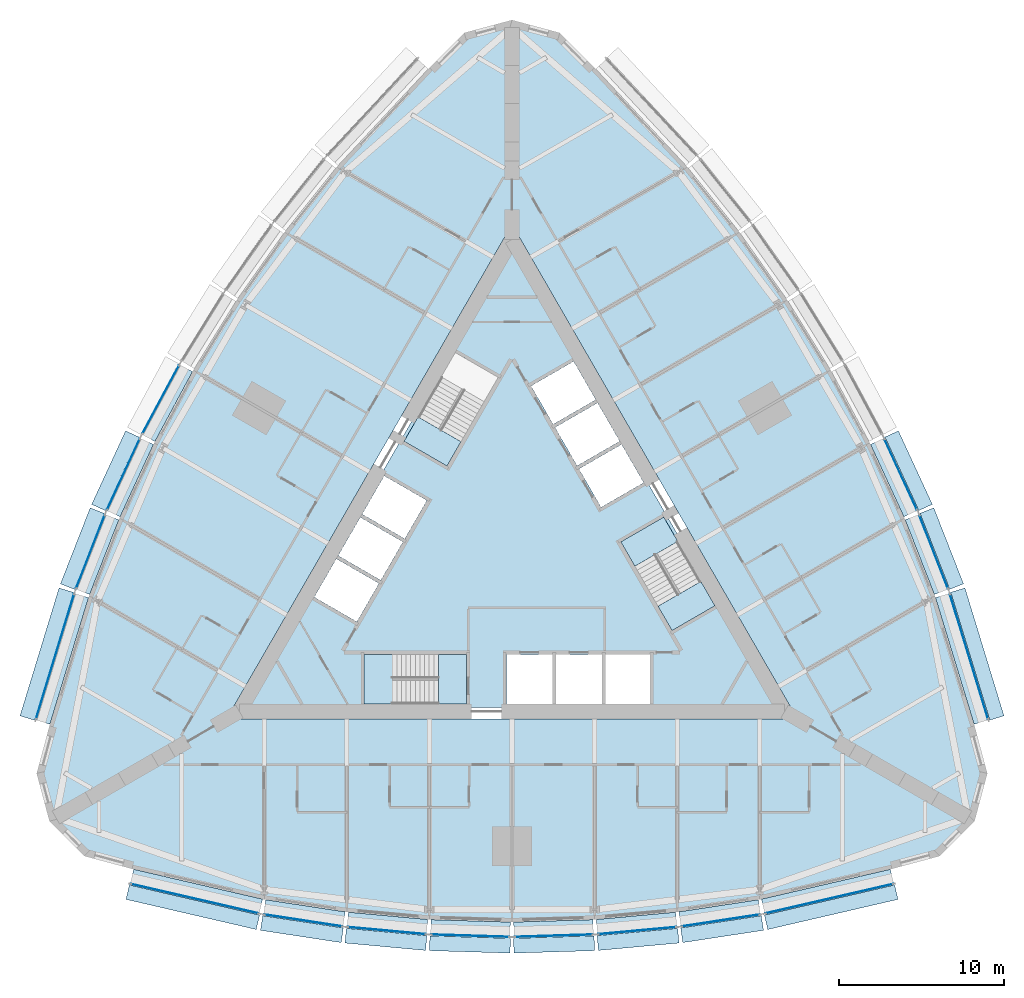
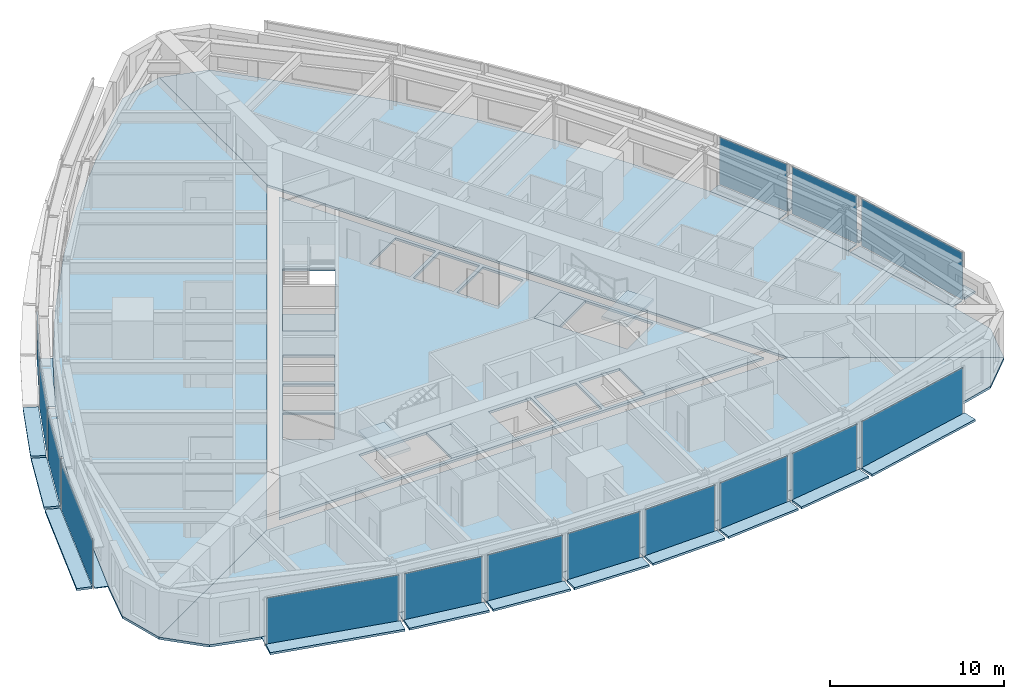
# One storey, part 6 of 14: 44 plates, 9 slabs, 18 elements without a shape of their own.
"""IFC4 building model written with IfcOpenShell, lengths in metres."""

from ifc_helpers import new_model, si_unit, direction, frame, origin, origin_2d, place, context, subcontext, project, spatial, polyline, rectangle, outline, extrude, material, layer, layer_set, type_object, element, aggregate, save


model = new_model("IFC4")

# Units and contexts
model_context = context("Model", 3, precision=1e-05, world=origin(), true_north=direction((0.0, 1.0)))
body_context = subcontext(model_context, "Body", "Model", "MODEL_VIEW")
ifc_project = project(units=[si_unit("LENGTHUNIT", "METRE"), si_unit("AREAUNIT", "SQUARE_METRE"), si_unit("VOLUMEUNIT", "CUBIC_METRE"), si_unit("PLANEANGLEUNIT", "RADIAN"), si_unit("MASSUNIT", "GRAM", prefix="KILO")], contexts=[model_context])

# Site, building, storey
site_placement = place(None, origin())
site = spatial("IfcSite", under=ifc_project, at=site_placement, CompositionType="ELEMENT")
building_placement = place(site_placement, origin())
building = spatial("IfcBuilding", under=site, at=building_placement, Name="Trikona Tower", CompositionType="ELEMENT")
storey_placement = place(building_placement, frame((0.0, 0.0, 35.300048828125)))
storey = spatial("IfcBuildingStorey", under=building, at=storey_placement, Name="L07", CompositionType="ELEMENT", Elevation=35.300048828125)

# Plates
ifc_material_1 = material(Name="Aluminium bar grating", Category="aluminium")
ifc_layer_1 = layer(ifc_material_1, 0.050048828125)
ifc_layer_set_1 = layer_set([ifc_layer_1], Name="Cavity catwalk grating")
plate_type_1 = type_object("IfcPlateType", Name="Cavity catwalk grating", PredefinedType="USERDEFINED", material=ifc_layer_set_1)
plate_1_placement = place(storey_placement, frame((-19.09228515625, -20.377197265625, -0.05029296875), z_axis=(0.0, 0.0, 1.0), x_axis=(0.974277718622, -0.225350675607, 0.0)))
element("IfcPlate", 1, at=plate_1_placement, inside=storey, type_object=plate_type_1, Name="Cavity catwalk L07-00", ObjectType="CATWALK GRATING", PredefinedType="USERDEFINED", context=body_context, shape_type="SweptSolid", body=[
    extrude(rectangle(XDim=8.01123046875, YDim=0.820068359375, at=origin_2d()), origin(), (0.0, 0.0, 1.0), 0.050048828125),
])
plate_2_placement = place(storey_placement, frame((-12.561767578125, -21.688720703125, -0.05029296875), z_axis=(0.0, 0.0, 1.0), x_axis=(0.988617896768, -0.150448177754, 0.0)))
element("IfcPlate", 2, at=plate_2_placement, inside=storey, type_object=plate_type_1, Name="Cavity catwalk L07-01", ObjectType="CATWALK GRATING", PredefinedType="USERDEFINED", context=body_context, shape_type="SweptSolid", body=[
    extrude(rectangle(XDim=4.857666015625, YDim=0.820068359375, at=origin_2d()), origin(), (0.0, 0.0, 1.0), 0.050048828125),
])
plate_3_placement = place(storey_placement, frame((-7.537353515625, -22.300537109375, -0.05029296875), z_axis=(0.0, 0.0, 1.0), x_axis=(0.995858098326, -0.090921108655, 0.0)))
element("IfcPlate", 3, at=plate_3_placement, inside=storey, type_object=plate_type_1, Name="Cavity catwalk L07-02", ObjectType="CATWALK GRATING", PredefinedType="USERDEFINED", context=body_context, shape_type="SweptSolid", body=[
    extrude(rectangle(XDim=4.82080078125, YDim=0.820068359375, at=origin_2d()), origin(), (0.0, 0.0, 1.0), 0.050048828125),
])
for number, where, z_axis, x_axis, name in (
    (4, (-2.512451171875, -22.606201171875, -0.05029296875), (0.0, 0.0, 1.0), (0.999537048889, -0.030425119525, 0.0), "Cavity catwalk L07-03"),
    (5, (2.512451171875, -22.606201171875, -0.05029296875), (0.0, 0.0, 1.0), (0.999537048889, 0.030425119525, 0.0), "Cavity catwalk L07-04"),
):
    element("IfcPlate", number, at=place(storey_placement, frame(where, z_axis=z_axis, x_axis=x_axis)), inside=storey, type_object=plate_type_1, Name=name, ObjectType="CATWALK GRATING", PredefinedType="USERDEFINED", context=body_context, shape_type="SweptSolid", body=[
        extrude(rectangle(XDim=4.80224609375, YDim=0.820068359375, at=origin_2d()), origin(), (0.0, 0.0, 1.0), 0.050048828125),
    ])
plate_4_placement = place(storey_placement, frame((7.537353515625, -22.300537109375, -0.05029296875), z_axis=(0.0, 0.0, 1.0), x_axis=(0.995858098326, 0.090921108655, 0.0)))
element("IfcPlate", 6, at=plate_4_placement, inside=storey, type_object=plate_type_1, Name="Cavity catwalk L07-05", ObjectType="CATWALK GRATING", PredefinedType="USERDEFINED", context=body_context, shape_type="SweptSolid", body=[
    extrude(rectangle(XDim=4.82080078125, YDim=0.820068359375, at=origin_2d()), origin(), (0.0, 0.0, 1.0), 0.050048828125),
])
plate_5_placement = place(storey_placement, frame((12.561767578125, -21.688720703125, -0.05029296875), z_axis=(0.0, 0.0, 1.0), x_axis=(0.988617896768, 0.150448177754, 0.0)))
element("IfcPlate", 7, at=plate_5_placement, inside=storey, type_object=plate_type_1, Name="Cavity catwalk L07-06", ObjectType="CATWALK GRATING", PredefinedType="USERDEFINED", context=body_context, shape_type="SweptSolid", body=[
    extrude(rectangle(XDim=4.857666015625, YDim=0.820068359375, at=origin_2d()), origin(), (0.0, 0.0, 1.0), 0.050048828125),
])
for number, where, z_axis, x_axis, name in (
    (8, (19.09228515625, -20.377197265625, -0.05029296875), (0.0, 0.0, 1.0), (0.974277718622, 0.225350675607, 0.0), "Cavity catwalk L07-07"),
    (9, (27.193359375, -6.345947265625, -0.05029296875), (0.0, 0.0, 1.0), (-0.291979449475, 0.956424592471, 0.0), "Cavity catwalk L07-12"),
):
    element("IfcPlate", number, at=place(storey_placement, frame(where, z_axis=z_axis, x_axis=x_axis)), inside=storey, type_object=plate_type_1, Name=name, ObjectType="CATWALK GRATING", PredefinedType="USERDEFINED", context=body_context, shape_type="SweptSolid", body=[
        extrude(rectangle(XDim=8.01123046875, YDim=0.820068359375, at=origin_2d()), origin(), (0.0, 0.0, 1.0), 0.050048828125),
    ])
plate_6_placement = place(storey_placement, frame((25.06396484375, -0.034423828125, -0.05029296875), z_axis=(0.0, 0.0, 1.0), x_axis=(-0.364008876551, 0.931395478726, 0.0)))
element("IfcPlate", 10, at=plate_6_placement, inside=storey, type_object=plate_type_1, Name="Cavity catwalk L07-13", ObjectType="CATWALK GRATING", PredefinedType="USERDEFINED", context=body_context, shape_type="SweptSolid", body=[
    extrude(rectangle(XDim=4.857666015625, YDim=0.820068359375, at=origin_2d()), origin(), (0.0, 0.0, 1.0), 0.050048828125),
])
plate_7_placement = place(storey_placement, frame((23.081298828125, 4.622802734375, -0.05029296875), z_axis=(0.0, 0.0, 1.0), x_axis=(-0.41919381307, 0.907896771161, 0.0)))
element("IfcPlate", 11, at=plate_7_placement, inside=storey, type_object=plate_type_1, Name="Cavity catwalk L07-14", ObjectType="CATWALK GRATING", PredefinedType="USERDEFINED", context=body_context, shape_type="SweptSolid", body=[
    extrude(rectangle(XDim=4.82080078125, YDim=0.820068359375, at=origin_2d()), origin(), (0.0, 0.0, 1.0), 0.050048828125),
])
plate_8_placement = place(storey_placement, frame((-20.833740234375, 9.127197265625, -0.05029296875), z_axis=(0.0, 0.0, 1.0), x_axis=(-0.473422672721, -0.880835383572, 0.0)))
element("IfcPlate", 12, at=plate_8_placement, inside=storey, type_object=plate_type_1, Name="Cavity catwalk L07-28", ObjectType="CATWALK GRATING", PredefinedType="USERDEFINED", context=body_context, shape_type="SweptSolid", body=[
    extrude(rectangle(XDim=4.80224609375, YDim=0.820068359375, at=origin_2d()), origin(), (0.0, 0.0, 1.0), 0.050048828125),
])
plate_9_placement = place(storey_placement, frame((-23.081298828125, 4.622802734375, -0.05029296875), z_axis=(0.0, 0.0, 1.0), x_axis=(-0.41919381307, -0.907896771161, 0.0)))
element("IfcPlate", 13, at=plate_9_placement, inside=storey, type_object=plate_type_1, Name="Cavity catwalk L07-29", ObjectType="CATWALK GRATING", PredefinedType="USERDEFINED", context=body_context, shape_type="SweptSolid", body=[
    extrude(rectangle(XDim=4.82080078125, YDim=0.820068359375, at=origin_2d()), origin(), (0.0, 0.0, 1.0), 0.050048828125),
])
plate_10_placement = place(storey_placement, frame((-25.06396484375, -0.034423828125, -0.05029296875), z_axis=(0.0, 0.0, 1.0), x_axis=(-0.364008876551, -0.931395478726, 0.0)))
element("IfcPlate", 14, at=plate_10_placement, inside=storey, type_object=plate_type_1, Name="Cavity catwalk L07-30", ObjectType="CATWALK GRATING", PredefinedType="USERDEFINED", context=body_context, shape_type="SweptSolid", body=[
    extrude(rectangle(XDim=4.857666015625, YDim=0.820068359375, at=origin_2d()), origin(), (0.0, 0.0, 1.0), 0.050048828125),
])
plate_11_placement = place(storey_placement, frame((-27.193359375, -6.345947265625, -0.05029296875), z_axis=(0.0, 0.0, 1.0), x_axis=(-0.291979449475, -0.956424592471, 0.0)))
element("IfcPlate", 15, at=plate_11_placement, inside=storey, type_object=plate_type_1, Name="Cavity catwalk L07-31", ObjectType="CATWALK GRATING", PredefinedType="USERDEFINED", context=body_context, shape_type="SweptSolid", body=[
    extrude(rectangle(XDim=8.01123046875, YDim=0.820068359375, at=origin_2d()), origin(), (0.0, 0.0, 1.0), 0.050048828125),
])

# Slabs
ifc_material_2 = material(Name="Concrete f'c 5000 psi lightweight on composite steel deck", Category="concrete")
ifc_layer_2 = layer(ifc_material_2, 0.1650390625)
ifc_layer_set_2 = layer_set([ifc_layer_2], Name="Composite floor slab 165")
slab_type_1 = type_object("IfcSlabType", Name="Composite floor slab 165", PredefinedType="FLOOR", material=ifc_layer_set_2)
slab_1_placement = place(storey_placement, frame((0.0, 0.0, -0.1650390625)))
element("IfcSlab", 16, at=slab_1_placement, inside=storey, type_object=slab_type_1, Name="Floor slab L07 core", PredefinedType="FLOOR", context=body_context, shape_type="SweptSolid", body=[
    extrude(outline(polyline([(-16.06689453125, -9.2763671875), (16.06689453125, -9.2763671875), (0.0, 18.552490234375), (-16.06689453125, -9.2763671875)]), holes=[polyline([(12.285400390625, -3.126220703125), (9.185302734375, 2.2431640625), (6.587158203125, 0.7431640625), (9.687255859375, -4.626220703125), (12.285400390625, -3.126220703125)]), polyline([(8.340087890625, -9.06640625), (8.340087890625, -6.086181640625), (5.659912109375, -6.086181640625), (5.659912109375, -9.06640625), (8.340087890625, -9.06640625)]), polyline([(5.390869140625, 2.835205078125), (7.9716796875, 4.3251953125), (6.631591796875, 6.646240234375), (4.05078125, 5.15625), (5.390869140625, 2.835205078125)]), polyline([(2.600830078125, 7.667724609375), (3.94091796875, 5.3466796875), (6.521484375, 6.8369140625), (5.181640625, 9.15771484375), (2.600830078125, 7.667724609375)]), polyline([(5.43994140625, -6.086181640625), (2.659912109375, -6.086181640625), (2.659912109375, -9.06640625), (5.43994140625, -9.06640625), (5.43994140625, -6.086181640625)]), polyline([(3.731689453125, 11.669189453125), (1.15087890625, 10.17919921875), (2.490966796875, 7.858154296875), (5.071533203125, 9.34814453125), (3.731689453125, 11.669189453125)]), polyline([(-0.340087890625, -6.086181640625), (-0.340087890625, -9.06640625), (2.43994140625, -9.06640625), (2.43994140625, -6.086181640625), (-0.340087890625, -6.086181640625)]), polyline([(-3.435302734375, 12.202392578125), (-6.535400390625, 6.8330078125), (-3.937255859375, 5.3330078125), (-0.837158203125, 10.702392578125), (-3.435302734375, 12.202392578125)]), polyline([(-8.949951171875, -9.076416015625), (-2.75, -9.076416015625), (-2.75, -6.076416015625), (-8.949951171875, -6.076416015625), (-8.949951171875, -9.076416015625)]), polyline([(-5.15087890625, 3.2509765625), (-7.731689453125, 4.740966796875), (-9.071533203125, 2.419921875), (-6.490966796875, 0.929931640625), (-5.15087890625, 3.2509765625)]), polyline([(-7.94091796875, -1.581298828125), (-6.600830078125, 0.739501953125), (-9.181640625, 2.2294921875), (-10.521484375, -0.09130859375), (-7.94091796875, -1.581298828125)]), polyline([(-11.9716796875, -2.602783203125), (-9.390869140625, -4.093017578125), (-8.05078125, -1.77197265625), (-10.631591796875, -0.281982421875), (-11.9716796875, -2.602783203125)])]), origin(), (0.0, 0.0, 1.0), 0.1650390625),
])
slab_2_placement = place(storey_placement, frame((0.0, 0.0, -0.1650390625)))
element("IfcSlab", 17, at=slab_2_placement, inside=storey, type_object=slab_type_1, Name="Floor slab L07 south", PredefinedType="FLOOR", context=body_context, shape_type="SweptSolid", body=[
    extrude(outline(polyline([(25.88671875, -18.279052734375), (28.0, -16.165771484375), (17.279296875, -9.976318359375), (-17.279296875, -9.976318359375), (-28.0, -16.165771484375), (-25.88671875, -18.279052734375), (-23.0, -19.052490234375), (-15.0, -20.903076171875), (-10.0, -21.663818359375), (-5.0, -22.120361328125), (0.0, -22.272705078125), (5.0, -22.120361328125), (10.0, -21.663818359375), (15.0, -20.903076171875), (23.0, -19.052490234375), (25.88671875, -18.279052734375)])), origin(), (0.0, 0.0, 1.0), 0.1650390625),
])
slab_3_placement = place(storey_placement, frame((0.0, 0.0, -0.1650390625)))
element("IfcSlab", 18, at=slab_3_placement, inside=storey, type_object=slab_type_1, Name="Floor slab L07 north-east", PredefinedType="FLOOR", context=body_context, shape_type="SweptSolid", body=[
    extrude(outline(polyline([(2.88671875, 31.55810546875), (0.0, 32.33154296875), (0.0, 19.95263671875), (17.279296875, -9.976318359375), (28.0, -16.165771484375), (28.7734375, -13.279052734375), (28.0, -10.392333984375), (25.6025390625, -2.538818359375), (23.761474609375, 2.171630859375), (21.65673828125, 6.72998046875), (19.28857421875, 11.13623046875), (16.65673828125, 15.390380859375), (13.761474609375, 19.4921875), (10.6025390625, 23.44189453125), (5.0, 29.44482421875), (2.88671875, 31.55810546875)])), origin(), (0.0, 0.0, 1.0), 0.1650390625),
])
slab_4_placement = place(storey_placement, frame((0.0, 0.0, -0.1650390625)))
element("IfcSlab", 19, at=slab_4_placement, inside=storey, type_object=slab_type_1, Name="Floor slab L07 north-west", PredefinedType="FLOOR", context=body_context, shape_type="SweptSolid", body=[
    extrude(outline(polyline([(0.0, 19.95263671875), (0.0, 32.33154296875), (-2.88671875, 31.55810546875), (-5.0, 29.44482421875), (-10.6025390625, 23.44189453125), (-13.761474609375, 19.4921875), (-16.65673828125, 15.390380859375), (-19.28857421875, 11.13623046875), (-21.65673828125, 6.72998046875), (-23.761474609375, 2.171630859375), (-25.6025390625, -2.538818359375), (-28.0, -10.392333984375), (-28.7734375, -13.279052734375), (-28.0, -16.165771484375), (-17.279296875, -9.976318359375), (0.0, 19.95263671875)])), origin(), (0.0, 0.0, 1.0), 0.1650390625),
])

# Curtain wall, plate
ifc_material_3 = material(Name="Aluminium curtain wall system", Category="aluminium")
curtain_wall_type = type_object("IfcCurtainWallType", Name="Curtain wall DS1", PredefinedType="NOTDEFINED", material=ifc_material_3)
curtain_wall_1_placement = place(storey_placement, origin())
curtain_wall_1 = element("IfcCurtainWall", 20, at=curtain_wall_1_placement, inside=storey, type_object=curtain_wall_type, Name="Curtain wall DS1 L07", PredefinedType="NOTDEFINED")
ifc_material_4 = material(Name="Laminated clear glass", Category="glass")
ifc_layer_3 = layer(ifc_material_4, 0.028076171875)
ifc_layer_set_3 = layer_set([ifc_layer_3], Name="Glass panel DS1")
plate_type_2 = type_object("IfcPlateType", Name="Glass panel DS1", PredefinedType="CURTAIN_PANEL", material=ifc_layer_set_3)
plate_12_placement = place(storey_placement, frame((-19.202880859375, -20.854736328125, 0.0), z_axis=(0.0, 0.0, 1.0), x_axis=(0.974279427173, -0.225343288756, 0.0)))
plate_12 = element("IfcPlate", 21, at=plate_12_placement, type_object=plate_type_2, Name="CW-DS1 panel 1.1", PredefinedType="CURTAIN_PANEL", context=body_context, shape_type="SweptSolid", body=[
    extrude(rectangle(XDim=7.93115234375, YDim=0.028076171875, at=origin_2d()), origin(), (0.0, 0.0, 1.0), 3.320068359375),
])
aggregate(curtain_wall_1, [plate_12])

curtain_wall_2_placement = place(storey_placement, origin())
curtain_wall_2 = element("IfcCurtainWall", 22, at=curtain_wall_2_placement, inside=storey, type_object=curtain_wall_type, Name="Curtain wall DS1 L07", PredefinedType="NOTDEFINED")
plate_13_placement = place(storey_placement, frame((-12.635498046875, -22.173095703125, 0.0), z_axis=(0.0, 0.0, 1.0), x_axis=(0.988619492156, -0.150437693845, 0.0)))
plate_13 = element("IfcPlate", 23, at=plate_13_placement, type_object=plate_type_2, Name="CW-DS1 panel 1.1", PredefinedType="CURTAIN_PANEL", context=body_context, shape_type="SweptSolid", body=[
    extrude(rectangle(XDim=4.777587890625, YDim=0.028076171875, at=origin_2d()), origin(), (0.0, 0.0, 1.0), 3.320068359375),
])
aggregate(curtain_wall_2, [plate_13])

curtain_wall_3_placement = place(storey_placement, origin())
curtain_wall_3 = element("IfcCurtainWall", 24, at=curtain_wall_3_placement, inside=storey, type_object=curtain_wall_type, Name="Curtain wall DS1 L07", PredefinedType="NOTDEFINED")
plate_14_placement = place(storey_placement, frame((-7.581787109375, -22.788330078125, 0.0), z_axis=(0.0, 0.0, 1.0), x_axis=(0.995857840485, -0.090923932737, 0.0)))
plate_14 = element("IfcPlate", 25, at=plate_14_placement, type_object=plate_type_2, Name="CW-DS1 panel 1.1", PredefinedType="CURTAIN_PANEL", context=body_context, shape_type="SweptSolid", body=[
    extrude(rectangle(XDim=4.74072265625, YDim=0.028076171875, at=origin_2d()), origin(), (0.0, 0.0, 1.0), 3.320068359375),
])
aggregate(curtain_wall_3, [plate_14])

curtain_wall_4_placement = place(storey_placement, origin())
curtain_wall_4 = element("IfcCurtainWall", 26, at=curtain_wall_4_placement, inside=storey, type_object=curtain_wall_type, Name="Curtain wall DS1 L07", PredefinedType="NOTDEFINED")
plate_15_placement = place(storey_placement, frame((-2.52734375, -23.09619140625, 0.0), z_axis=(0.0, 0.0, 1.0), x_axis=(0.999536695965, -0.030436711692, 0.0)))
plate_15 = element("IfcPlate", 27, at=plate_15_placement, type_object=plate_type_2, Name="CW-DS1 panel 1.1", PredefinedType="CURTAIN_PANEL", context=body_context, shape_type="SweptSolid", body=[
    extrude(rectangle(XDim=4.72216796875, YDim=0.028076171875, at=origin_2d()), origin(), (0.0, 0.0, 1.0), 3.320068359375),
])
aggregate(curtain_wall_4, [plate_15])

curtain_wall_5_placement = place(storey_placement, origin())
curtain_wall_5 = element("IfcCurtainWall", 28, at=curtain_wall_5_placement, inside=storey, type_object=curtain_wall_type, Name="Curtain wall DS1 L07", PredefinedType="NOTDEFINED")
plate_16_placement = place(storey_placement, frame((2.52734375, -23.09619140625, 0.0), z_axis=(0.0, 0.0, 1.0), x_axis=(0.999536695965, 0.030436711692, 0.0)))
plate_16 = element("IfcPlate", 29, at=plate_16_placement, type_object=plate_type_2, Name="CW-DS1 panel 1.1", PredefinedType="CURTAIN_PANEL", context=body_context, shape_type="SweptSolid", body=[
    extrude(rectangle(XDim=4.72216796875, YDim=0.028076171875, at=origin_2d()), origin(), (0.0, 0.0, 1.0), 3.320068359375),
])
aggregate(curtain_wall_5, [plate_16])

curtain_wall_6_placement = place(storey_placement, origin())
curtain_wall_6 = element("IfcCurtainWall", 30, at=curtain_wall_6_placement, inside=storey, type_object=curtain_wall_type, Name="Curtain wall DS1 L07", PredefinedType="NOTDEFINED")
plate_17_placement = place(storey_placement, frame((7.581787109375, -22.788330078125, 0.0), z_axis=(0.0, 0.0, 1.0), x_axis=(0.995857840485, 0.090923932737, 0.0)))
plate_17 = element("IfcPlate", 31, at=plate_17_placement, type_object=plate_type_2, Name="CW-DS1 panel 1.1", PredefinedType="CURTAIN_PANEL", context=body_context, shape_type="SweptSolid", body=[
    extrude(rectangle(XDim=4.74072265625, YDim=0.028076171875, at=origin_2d()), origin(), (0.0, 0.0, 1.0), 3.320068359375),
])
aggregate(curtain_wall_6, [plate_17])

curtain_wall_7_placement = place(storey_placement, origin())
curtain_wall_7 = element("IfcCurtainWall", 32, at=curtain_wall_7_placement, inside=storey, type_object=curtain_wall_type, Name="Curtain wall DS1 L07", PredefinedType="NOTDEFINED")
plate_18_placement = place(storey_placement, frame((12.635498046875, -22.173095703125, 0.0), z_axis=(0.0, 0.0, 1.0), x_axis=(0.988619492156, 0.150437693845, 0.0)))
plate_18 = element("IfcPlate", 33, at=plate_18_placement, type_object=plate_type_2, Name="CW-DS1 panel 1.1", PredefinedType="CURTAIN_PANEL", context=body_context, shape_type="SweptSolid", body=[
    extrude(rectangle(XDim=4.777587890625, YDim=0.028076171875, at=origin_2d()), origin(), (0.0, 0.0, 1.0), 3.320068359375),
])
aggregate(curtain_wall_7, [plate_18])

curtain_wall_8_placement = place(storey_placement, origin())
curtain_wall_8 = element("IfcCurtainWall", 34, at=curtain_wall_8_placement, inside=storey, type_object=curtain_wall_type, Name="Curtain wall DS1 L07", PredefinedType="NOTDEFINED")
plate_19_placement = place(storey_placement, frame((19.202880859375, -20.854736328125, 0.0), z_axis=(0.0, 0.0, 1.0), x_axis=(0.974279427173, 0.225343288756, 0.0)))
plate_19 = element("IfcPlate", 35, at=plate_19_placement, type_object=plate_type_2, Name="CW-DS1 panel 1.1", PredefinedType="CURTAIN_PANEL", context=body_context, shape_type="SweptSolid", body=[
    extrude(rectangle(XDim=7.93115234375, YDim=0.028076171875, at=origin_2d()), origin(), (0.0, 0.0, 1.0), 3.320068359375),
])
aggregate(curtain_wall_8, [plate_19])

curtain_wall_9_placement = place(storey_placement, origin())
curtain_wall_9 = element("IfcCurtainWall", 36, at=curtain_wall_9_placement, inside=storey, type_object=curtain_wall_type, Name="Curtain wall DS1 L07", PredefinedType="NOTDEFINED")
plate_20_placement = place(storey_placement, frame((27.662109375, -6.202880859375, 0.0), z_axis=(0.0, 0.0, 1.0), x_axis=(-0.291984287868, 0.956423115383, 0.0)))
plate_20 = element("IfcPlate", 37, at=plate_20_placement, type_object=plate_type_2, Name="CW-DS1 panel 1.1", PredefinedType="CURTAIN_PANEL", context=body_context, shape_type="SweptSolid", body=[
    extrude(rectangle(XDim=7.93115234375, YDim=0.028076171875, at=origin_2d()), origin(), (0.0, 0.0, 1.0), 3.320068359375),
])
aggregate(curtain_wall_9, [plate_20])

curtain_wall_10_placement = place(storey_placement, origin())
curtain_wall_10 = element("IfcCurtainWall", 38, at=curtain_wall_10_placement, inside=storey, type_object=curtain_wall_type, Name="Curtain wall DS1 L07", PredefinedType="NOTDEFINED")
plate_21_placement = place(storey_placement, frame((25.520263671875, 0.14404296875, 0.0), z_axis=(0.0, 0.0, 1.0), x_axis=(-0.36400756977, 0.931395989443, 0.0)))
plate_21 = element("IfcPlate", 39, at=plate_21_placement, type_object=plate_type_2, Name="CW-DS1 panel 1.1", PredefinedType="CURTAIN_PANEL", context=body_context, shape_type="SweptSolid", body=[
    extrude(rectangle(XDim=4.777587890625, YDim=0.028076171875, at=origin_2d()), origin(), (0.0, 0.0, 1.0), 3.320068359375),
])
aggregate(curtain_wall_10, [plate_21])

curtain_wall_11_placement = place(storey_placement, origin())
curtain_wall_11 = element("IfcCurtainWall", 40, at=curtain_wall_11_placement, inside=storey, type_object=curtain_wall_type, Name="Curtain wall DS1 L07", PredefinedType="NOTDEFINED")
plate_22_placement = place(storey_placement, frame((23.5263671875, 4.828125, 0.0), z_axis=(0.0, 0.0, 1.0), x_axis=(-0.419190155352, 0.907898459992, 0.0)))
plate_22 = element("IfcPlate", 41, at=plate_22_placement, type_object=plate_type_2, Name="CW-DS1 panel 1.1", PredefinedType="CURTAIN_PANEL", context=body_context, shape_type="SweptSolid", body=[
    extrude(rectangle(XDim=4.740966796875, YDim=0.028076171875, at=origin_2d()), origin(), (0.0, 0.0, 1.0), 3.320068359375),
])
aggregate(curtain_wall_11, [plate_22])

curtain_wall_12_placement = place(storey_placement, origin())
curtain_wall_12 = element("IfcCurtainWall", 42, at=curtain_wall_12_placement, inside=storey, type_object=curtain_wall_type, Name="Curtain wall DS1 L07", PredefinedType="NOTDEFINED")
plate_23_placement = place(storey_placement, frame((-21.265380859375, 9.359130859375, 0.0), z_axis=(0.0, 0.0, 1.0), x_axis=(-0.473408350896, -0.880843080975, 0.0)))
plate_23 = element("IfcPlate", 43, at=plate_23_placement, type_object=plate_type_2, Name="CW-DS1 panel 1.1", PredefinedType="CURTAIN_PANEL", context=body_context, shape_type="SweptSolid", body=[
    extrude(rectangle(XDim=4.72216796875, YDim=0.028076171875, at=origin_2d()), origin(), (0.0, 0.0, 1.0), 3.320068359375),
])
aggregate(curtain_wall_12, [plate_23])

curtain_wall_13_placement = place(storey_placement, origin())
curtain_wall_13 = element("IfcCurtainWall", 44, at=curtain_wall_13_placement, inside=storey, type_object=curtain_wall_type, Name="Curtain wall DS1 L07", PredefinedType="NOTDEFINED")
plate_24_placement = place(storey_placement, frame((-23.5263671875, 4.828125, 0.0), z_axis=(0.0, 0.0, 1.0), x_axis=(-0.419190155352, -0.907898459992, 0.0)))
plate_24 = element("IfcPlate", 45, at=plate_24_placement, type_object=plate_type_2, Name="CW-DS1 panel 1.1", PredefinedType="CURTAIN_PANEL", context=body_context, shape_type="SweptSolid", body=[
    extrude(rectangle(XDim=4.740966796875, YDim=0.028076171875, at=origin_2d()), origin(), (0.0, 0.0, 1.0), 3.320068359375),
])
aggregate(curtain_wall_13, [plate_24])

curtain_wall_14_placement = place(storey_placement, origin())
curtain_wall_14 = element("IfcCurtainWall", 46, at=curtain_wall_14_placement, inside=storey, type_object=curtain_wall_type, Name="Curtain wall DS1 L07", PredefinedType="NOTDEFINED")
plate_25_placement = place(storey_placement, frame((-25.520263671875, 0.14404296875, 0.0), z_axis=(0.0, 0.0, 1.0), x_axis=(-0.36400756977, -0.931395989443, 0.0)))
plate_25 = element("IfcPlate", 47, at=plate_25_placement, type_object=plate_type_2, Name="CW-DS1 panel 1.1", PredefinedType="CURTAIN_PANEL", context=body_context, shape_type="SweptSolid", body=[
    extrude(rectangle(XDim=4.777587890625, YDim=0.028076171875, at=origin_2d()), origin(), (0.0, 0.0, 1.0), 3.320068359375),
])
aggregate(curtain_wall_14, [plate_25])

curtain_wall_15_placement = place(storey_placement, origin())
curtain_wall_15 = element("IfcCurtainWall", 48, at=curtain_wall_15_placement, inside=storey, type_object=curtain_wall_type, Name="Curtain wall DS1 L07", PredefinedType="NOTDEFINED")
plate_26_placement = place(storey_placement, frame((-27.662109375, -6.202880859375, 0.0), z_axis=(0.0, 0.0, 1.0), x_axis=(-0.291984287868, -0.956423115383, 0.0)))
plate_26 = element("IfcPlate", 49, at=plate_26_placement, type_object=plate_type_2, Name="CW-DS1 panel 1.1", PredefinedType="CURTAIN_PANEL", context=body_context, shape_type="SweptSolid", body=[
    extrude(rectangle(XDim=7.93115234375, YDim=0.028076171875, at=origin_2d()), origin(), (0.0, 0.0, 1.0), 3.320068359375),
])
aggregate(curtain_wall_15, [plate_26])

# Plates
ifc_material_5 = material(Name="Aluminium plate fin, pale anodised, on stainless steel outriggers", Category="steel")
ifc_layer_4 = layer(ifc_material_5, 0.14990234375)
ifc_layer_set_4 = layer_set([ifc_layer_4], Name="Outer skin fin 900")
plate_type_3 = type_object("IfcPlateType", Name="Outer skin fin 900", PredefinedType="USERDEFINED", material=ifc_layer_set_4)
plate_27_placement = place(storey_placement, frame((-19.322265625, -21.37109375, 0.0), z_axis=(0.0, 0.0, 1.0), x_axis=(0.974277718622, -0.225350675607, 0.0)))
element("IfcPlate", 50, at=plate_27_placement, inside=storey, type_object=plate_type_3, Name="Outer skin fin L07-00", ObjectType="FIN", PredefinedType="USERDEFINED", context=body_context, shape_type="SweptSolid", body=[
    extrude(rectangle(XDim=8.09130859375, YDim=0.89990234375, at=origin_2d()), origin(), (0.0, 0.0, 1.0), 0.14990234375),
])
plate_28_placement = place(storey_placement, frame((-12.715087890625, -22.697265625, 0.0), z_axis=(0.0, 0.0, 1.0), x_axis=(0.988617896768, -0.150448177754, 0.0)))
element("IfcPlate", 51, at=plate_28_placement, inside=storey, type_object=plate_type_3, Name="Outer skin fin L07-01", ObjectType="FIN", PredefinedType="USERDEFINED", context=body_context, shape_type="SweptSolid", body=[
    extrude(rectangle(XDim=4.9375, YDim=0.89990234375, at=origin_2d()), origin(), (0.0, 0.0, 1.0), 0.14990234375),
])
plate_29_placement = place(storey_placement, frame((-7.6298828125, -23.316162109375, 0.0), z_axis=(0.0, 0.0, 1.0), x_axis=(0.995858098326, -0.090921108655, 0.0)))
element("IfcPlate", 52, at=plate_29_placement, inside=storey, type_object=plate_type_3, Name="Outer skin fin L07-02", ObjectType="FIN", PredefinedType="USERDEFINED", context=body_context, shape_type="SweptSolid", body=[
    extrude(rectangle(XDim=4.90087890625, YDim=0.89990234375, at=origin_2d()), origin(), (0.0, 0.0, 1.0), 0.14990234375),
])
for number, where, z_axis, x_axis, name in (
    (53, (-2.54345703125, -23.625732421875, 0.0), (0.0, 0.0, 1.0), (0.999537048889, -0.030425119525, 0.0), "Outer skin fin L07-03"),
    (54, (2.54345703125, -23.625732421875, 0.0), (0.0, 0.0, 1.0), (0.999537048889, 0.030425119525, 0.0), "Outer skin fin L07-04"),
):
    element("IfcPlate", number, at=place(storey_placement, frame(where, z_axis=z_axis, x_axis=x_axis)), inside=storey, type_object=plate_type_3, Name=name, ObjectType="FIN", PredefinedType="USERDEFINED", context=body_context, shape_type="SweptSolid", body=[
        extrude(rectangle(XDim=4.88232421875, YDim=0.89990234375, at=origin_2d()), origin(), (0.0, 0.0, 1.0), 0.14990234375),
    ])
plate_30_placement = place(storey_placement, frame((7.6298828125, -23.316162109375, 0.0), z_axis=(0.0, 0.0, 1.0), x_axis=(0.995858098326, 0.090921108655, 0.0)))
element("IfcPlate", 55, at=plate_30_placement, inside=storey, type_object=plate_type_3, Name="Outer skin fin L07-05", ObjectType="FIN", PredefinedType="USERDEFINED", context=body_context, shape_type="SweptSolid", body=[
    extrude(rectangle(XDim=4.90087890625, YDim=0.89990234375, at=origin_2d()), origin(), (0.0, 0.0, 1.0), 0.14990234375),
])
plate_31_placement = place(storey_placement, frame((12.715087890625, -22.697265625, 0.0), z_axis=(0.0, 0.0, 1.0), x_axis=(0.988617896768, 0.150448177754, 0.0)))
element("IfcPlate", 56, at=plate_31_placement, inside=storey, type_object=plate_type_3, Name="Outer skin fin L07-06", ObjectType="FIN", PredefinedType="USERDEFINED", context=body_context, shape_type="SweptSolid", body=[
    extrude(rectangle(XDim=4.9375, YDim=0.89990234375, at=origin_2d()), origin(), (0.0, 0.0, 1.0), 0.14990234375),
])
for number, where, z_axis, x_axis, name in (
    (57, (19.322265625, -21.37109375, 0.0), (0.0, 0.0, 1.0), (0.974277718622, 0.225350675607, 0.0), "Outer skin fin L07-07"),
    (58, (28.1689453125, -6.048095703125, 0.0), (0.0, 0.0, 1.0), (-0.291979449475, 0.956424592471, 0.0), "Outer skin fin L07-12"),
):
    element("IfcPlate", number, at=place(storey_placement, frame(where, z_axis=z_axis, x_axis=x_axis)), inside=storey, type_object=plate_type_3, Name=name, ObjectType="FIN", PredefinedType="USERDEFINED", context=body_context, shape_type="SweptSolid", body=[
        extrude(rectangle(XDim=8.09130859375, YDim=0.89990234375, at=origin_2d()), origin(), (0.0, 0.0, 1.0), 0.14990234375),
    ])
plate_32_placement = place(storey_placement, frame((26.013916015625, 0.3369140625, 0.0), z_axis=(0.0, 0.0, 1.0), x_axis=(-0.364008876551, 0.931395478726, 0.0)))
element("IfcPlate", 59, at=plate_32_placement, inside=storey, type_object=plate_type_3, Name="Outer skin fin L07-13", ObjectType="FIN", PredefinedType="USERDEFINED", context=body_context, shape_type="SweptSolid", body=[
    extrude(rectangle(XDim=4.9375, YDim=0.89990234375, at=origin_2d()), origin(), (0.0, 0.0, 1.0), 0.14990234375),
])
for number, where, z_axis, x_axis, name in (
    (60, (24.00732421875, 5.05029296875, 0.0), (0.0, 0.0, 1.0), (-0.41919381307, 0.907896771161, 0.0), "Outer skin fin L07-14"),
    (61, (-24.00732421875, 5.05029296875, 0.0), (0.0, 0.0, 1.0), (-0.41919381307, -0.907896771161, 0.0), "Outer skin fin L07-29"),
):
    element("IfcPlate", number, at=place(storey_placement, frame(where, z_axis=z_axis, x_axis=x_axis)), inside=storey, type_object=plate_type_3, Name=name, ObjectType="FIN", PredefinedType="USERDEFINED", context=body_context, shape_type="SweptSolid", body=[
        extrude(rectangle(XDim=4.90087890625, YDim=0.89990234375, at=origin_2d()), origin(), (0.0, 0.0, 1.0), 0.14990234375),
    ])
plate_33_placement = place(storey_placement, frame((-26.013916015625, 0.3369140625, 0.0), z_axis=(0.0, 0.0, 1.0), x_axis=(-0.364008876551, -0.931395478726, 0.0)))
element("IfcPlate", 62, at=plate_33_placement, inside=storey, type_object=plate_type_3, Name="Outer skin fin L07-30", ObjectType="FIN", PredefinedType="USERDEFINED", context=body_context, shape_type="SweptSolid", body=[
    extrude(rectangle(XDim=4.9375, YDim=0.89990234375, at=origin_2d()), origin(), (0.0, 0.0, 1.0), 0.14990234375),
])
plate_34_placement = place(storey_placement, frame((-28.1689453125, -6.048095703125, 0.0), z_axis=(0.0, 0.0, 1.0), x_axis=(-0.291979449475, -0.956424592471, 0.0)))
element("IfcPlate", 63, at=plate_34_placement, inside=storey, type_object=plate_type_3, Name="Outer skin fin L07-31", ObjectType="FIN", PredefinedType="USERDEFINED", context=body_context, shape_type="SweptSolid", body=[
    extrude(rectangle(XDim=8.09130859375, YDim=0.89990234375, at=origin_2d()), origin(), (0.0, 0.0, 1.0), 0.14990234375),
])

# Stair, slabs
ifc_material_6 = material(Name="Concrete f'c 5000 psi", Category="concrete")
stair_type = type_object("IfcStairType", Name="Core stair", PredefinedType="HALF_TURN_STAIR", material=ifc_material_6)
stair_1_placement = place(storey_placement, origin())
stair_1 = element("IfcStair", 64, at=stair_1_placement, inside=storey, type_object=stair_type, Name="Stair A L07", PredefinedType="HALF_TURN_STAIR")
ifc_material_7 = material(Name="Concrete f'c 5000 psi", Category="concrete")
ifc_layer_5 = layer(ifc_material_7, 0.199951171875)
ifc_layer_set_5 = layer_set([ifc_layer_5], Name="Stair landing 200")
slab_type_2 = type_object("IfcSlabType", Name="Stair landing 200", PredefinedType="LANDING", material=ifc_layer_set_5)
slab_5_placement = place(storey_placement, frame((0.0, 0.0, -0.199951171875)))
slab_5 = element("IfcSlab", 65, at=slab_5_placement, type_object=slab_type_2, Name="ST-A landing 1", PredefinedType="LANDING", context=body_context, shape_type="SweptSolid", body=[
    extrude(outline(polyline([(-4.452880859375, -6.076416015625), (-2.75, -6.076416015625), (-2.75, -9.076416015625), (-4.452880859375, -9.076416015625), (-4.452880859375, -6.076416015625)])), origin(), (0.0, 0.0, 1.0), 0.199951171875),
])
slab_6_placement = place(storey_placement, frame((0.0, 0.0, 1.5)))
slab_6 = element("IfcSlab", 66, at=slab_6_placement, type_object=slab_type_2, Name="ST-A landing 2", PredefinedType="LANDING", context=body_context, shape_type="SweptSolid", body=[
    extrude(outline(polyline([(-8.949951171875, -6.076416015625), (-7.2470703125, -6.076416015625), (-7.2470703125, -9.076416015625), (-8.949951171875, -9.076416015625), (-8.949951171875, -6.076416015625)])), origin(), (0.0, 0.0, 1.0), 0.199951171875),
])
aggregate(stair_1, [slab_5, slab_6])

stair_2_placement = place(storey_placement, origin())
stair_2 = element("IfcStair", 67, at=stair_2_placement, inside=storey, type_object=stair_type, Name="Stair B L07", PredefinedType="HALF_TURN_STAIR")
slab_7_placement = place(storey_placement, frame((0.0, 0.0, -0.199951171875)))
slab_7 = element("IfcSlab", 68, at=slab_7_placement, type_object=slab_type_2, Name="ST-B landing 1", PredefinedType="LANDING", context=body_context, shape_type="SweptSolid", body=[
    extrude(outline(polyline([(7.438720703125, -0.731689453125), (6.587158203125, 0.7431640625), (9.185302734375, 2.2431640625), (10.036865234375, 0.768310546875), (7.438720703125, -0.731689453125)])), origin(), (0.0, 0.0, 1.0), 0.199951171875),
])
slab_8_placement = place(storey_placement, frame((0.0, 0.0, 1.5)))
slab_8 = element("IfcSlab", 69, at=slab_8_placement, type_object=slab_type_2, Name="ST-B landing 2", PredefinedType="LANDING", context=body_context, shape_type="SweptSolid", body=[
    extrude(outline(polyline([(9.687255859375, -4.626220703125), (8.835693359375, -3.1513671875), (11.433837890625, -1.6513671875), (12.285400390625, -3.126220703125), (9.687255859375, -4.626220703125)])), origin(), (0.0, 0.0, 1.0), 0.199951171875),
])
aggregate(stair_2, [slab_7, slab_8])

# Stair, slab
stair_3_placement = place(storey_placement, origin())
stair_3 = element("IfcStair", 70, at=stair_3_placement, inside=storey, type_object=stair_type, Name="Stair C L07", PredefinedType="HALF_TURN_STAIR")
slab_9_placement = place(storey_placement, frame((0.0, 0.0, -0.199951171875)))
slab_9 = element("IfcSlab", 71, at=slab_9_placement, type_object=slab_type_2, Name="ST-C landing 1", PredefinedType="LANDING", context=body_context, shape_type="SweptSolid", body=[
    extrude(outline(polyline([(-3.085693359375, 6.807861328125), (-3.937255859375, 5.3330078125), (-6.535400390625, 6.8330078125), (-5.683837890625, 8.307861328125), (-3.085693359375, 6.807861328125)])), origin(), (0.0, 0.0, 1.0), 0.199951171875),
])
aggregate(stair_3, [slab_9])

save(model, "model.ifc")
